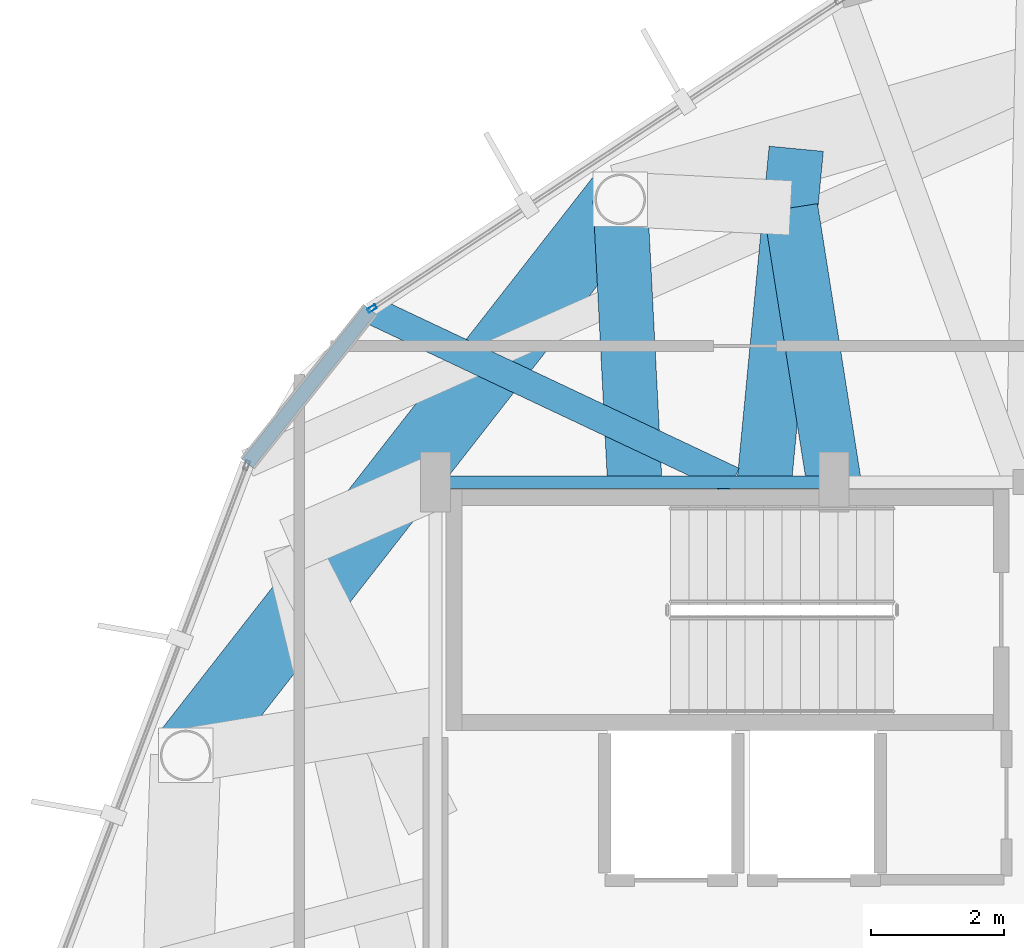
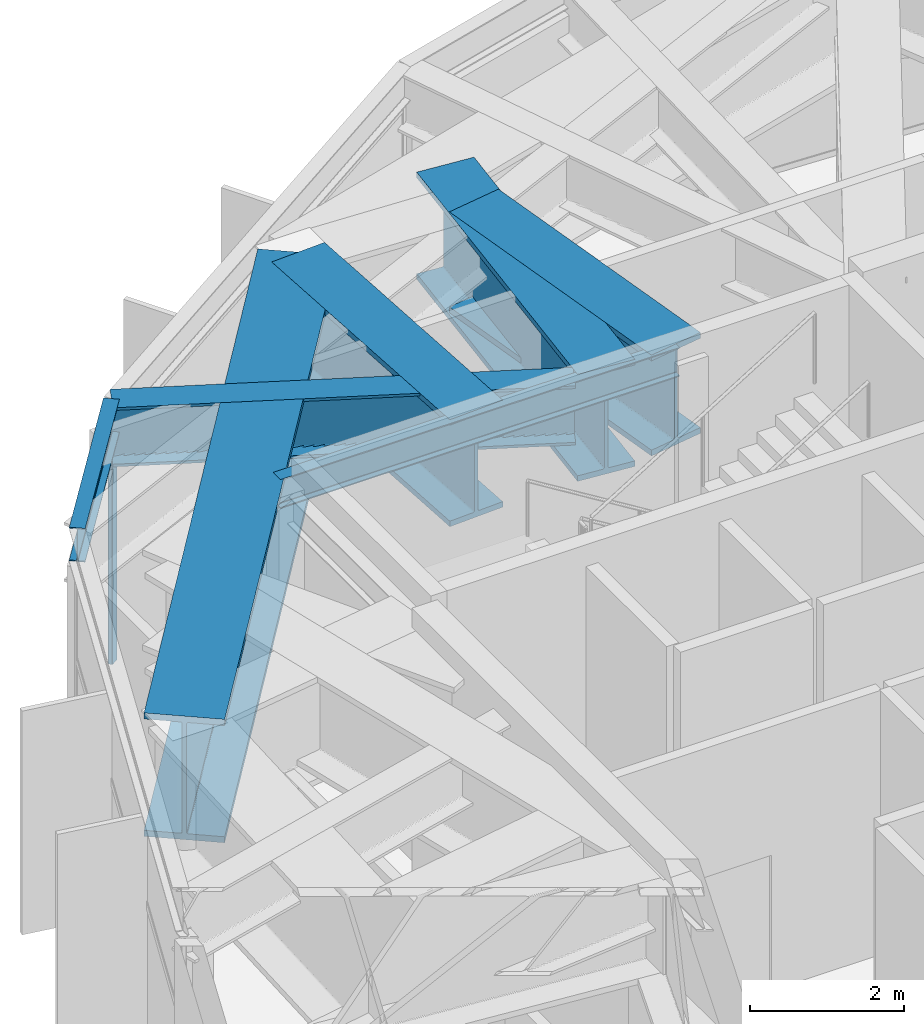
# One storey, part 12 of 27: 7 beams, 1 member, 1 element without a shape of its own.
"""IFC4 building model written with IfcOpenShell, lengths in metres."""

from ifc_helpers import new_model, si_unit, direction, frame, origin, origin_2d, place, context, subcontext, project, spatial, hollow_rectangle, i_section, extrude, material, layer, layer_set, material_profile, profile_set, type_object, element, aggregate, save


model = new_model("IFC4")

# Units and contexts
model_context = context("Model", 3, precision=1e-05, world=origin(), true_north=direction((0.0, 1.0)))
body_context = subcontext(model_context, "Body", "Model", "MODEL_VIEW")
ifc_project = project(units=[si_unit("LENGTHUNIT", "METRE"), si_unit("AREAUNIT", "SQUARE_METRE"), si_unit("VOLUMEUNIT", "CUBIC_METRE"), si_unit("PLANEANGLEUNIT", "RADIAN"), si_unit("MASSUNIT", "GRAM", prefix="KILO")], contexts=[model_context])

# Site, building, storey
site_placement = place(None, origin())
site = spatial("IfcSite", under=ifc_project, at=site_placement, CompositionType="ELEMENT")
building_placement = place(site_placement, origin())
building = spatial("IfcBuilding", under=site, at=building_placement, Name="Soratama Intermodal Tower", CompositionType="ELEMENT")
storey_placement = place(building_placement, frame((0.0, 0.0, 288.550048828125)))
storey = spatial("IfcBuildingStorey", under=building, at=storey_placement, Name="L73", CompositionType="ELEMENT", Elevation=288.550048828125)

# Beams
ifc_material_1 = material(Name="Structural steel ASTM A992 Grade 50", Category="steel")
ifc_material_profile_1 = material_profile(ifc_material_1, i_section(OverallWidth=0.19091796875, OverallDepth=0.4599609375, WebThickness=0.010009765625, FlangeThickness=0.01611328125, FilletRadius=0.010986328125, at=origin_2d()), Name="W18X55")
ifc_profile_set_1 = profile_set([ifc_material_profile_1], Name="Structural steel ASTM A992 Grade 50")
beam_type_1 = type_object("IfcBeamType", Name="BM-FLR-W18X55", PredefinedType="BEAM", material=ifc_profile_set_1)
beam_1_placement = place(storey_placement, frame((38.60009765625, 35.0, 3.96484375), z_axis=(-1.0, 0.0, 0.0), x_axis=(0.0, -1.0, 0.0)))
element("IfcBeam", 1, at=beam_1_placement, inside=storey, type_object=beam_type_1, Name="BM-L73-CRING-07", PredefinedType="BEAM", context=body_context, shape_type="SweptSolid", body=[
    extrude(i_section(OverallWidth=0.19091796875, OverallDepth=0.4599609375, WebThickness=0.010009765625, FlangeThickness=0.01611328125, FilletRadius=0.010986328125, at=origin_2d()), origin(), (0.0, 0.0, 1.0), 6.0),
])
ifc_material_2 = material(Name="Structural steel ASTM A992 Grade 50", Category="steel")
ifc_material_profile_2 = material_profile(ifc_material_2, i_section(OverallWidth=0.423095703125, OverallDepth=0.93896484375, WebThickness=0.02392578125, FlangeThickness=0.042724609375, FilletRadius=0.02392578125, at=origin_2d()), Name="W36X302")
ifc_profile_set_2 = profile_set([ifc_material_profile_2], Name="Structural steel ASTM A992 Grade 50")
beam_type_2 = type_object("IfcBeamType", Name="BM-POD-W36X302", PredefinedType="BEAM", material=ifc_profile_set_2)
beam_2_placement = place(storey_placement, frame((37.0830078125, 35.01708984375, 3.725341796875), z_axis=(-0.904306266006, 0.426884266825, 0.0), x_axis=(-0.426884266825, -0.904306266006, 0.0)))
element("IfcBeam", 2, at=beam_2_placement, inside=storey, type_object=beam_type_2, Name="BM-L73-TIE1-02", PredefinedType="BEAM", context=body_context, shape_type="SweptSolid", body=[
    extrude(i_section(OverallWidth=0.423095703125, OverallDepth=0.93896484375, WebThickness=0.02392578125, FlangeThickness=0.042724609375, FilletRadius=0.02392578125, at=origin_2d()), origin(), (0.0, 0.0, 1.0), 6.04345703125),
])
ifc_material_3 = material(Name="Structural steel ASTM A992 Grade 50", Category="steel")
ifc_material_profile_3 = material_profile(ifc_material_3, i_section(OverallWidth=0.2099609375, OverallDepth=0.537109375, WebThickness=0.010986328125, FlangeThickness=0.017333984375, FilletRadius=0.012939453125, at=origin_2d()), Name="W21X68")
ifc_profile_set_3 = profile_set([ifc_material_profile_3], Name="Structural steel ASTM A992 Grade 50")
beam_type_3 = type_object("IfcBeamType", Name="BM-SPN-W21X68", PredefinedType="SPANDREL", material=ifc_profile_set_3)
beam_3_placement = place(storey_placement, frame((31.617919921875, 37.596923828125, 3.926513671875), z_axis=(-0.624343648605, -0.78114979898, 0.0), x_axis=(0.78114979898, -0.624343648605, 0.0)))
element("IfcBeam", 3, at=beam_3_placement, inside=storey, type_object=beam_type_3, Name="BS-L73-CRN02", PredefinedType="SPANDREL", context=body_context, shape_type="SweptSolid", body=[
    extrude(i_section(OverallWidth=0.2099609375, OverallDepth=0.537109375, WebThickness=0.010986328125, FlangeThickness=0.017333984375, FilletRadius=0.012939453125, at=origin_2d()), origin(), (0.0, 0.0, 1.0), 2.966064453125),
])
ifc_material_4 = material(Name="Structural steel ASTM A992 Grade 50", Category="steel")
ifc_material_profile_4 = material_profile(ifc_material_4, i_section(OverallWidth=0.820068359375, OverallDepth=1.699951171875, WebThickness=0.053955078125, FlangeThickness=0.087890625, FilletRadius=0.02392578125, at=origin_2d()), Name="PG1580X800")
ifc_profile_set_4 = profile_set([ifc_material_profile_4], Name="Structural steel ASTM A992 Grade 50")
beam_type_4 = type_object("IfcBeamType", Name="BM-ZSTEP-PG1580", PredefinedType="BEAM", material=ifc_profile_set_4)
beam_4_placement = place(storey_placement, frame((38.032958984375, 40.02001953125, 3.344970703125), z_axis=(-0.095371088634, -0.995441789083, 0.0), x_axis=(0.995441789083, -0.095371088634, 0.0)))
element("IfcBeam", 4, at=beam_4_placement, inside=storey, type_object=beam_type_4, Name="BM-L73-ZCHORD-03", PredefinedType="BEAM", context=body_context, shape_type="SweptSolid", body=[
    extrude(i_section(OverallWidth=0.820068359375, OverallDepth=1.699951171875, WebThickness=0.053955078125, FlangeThickness=0.087890625, FilletRadius=0.02392578125, at=origin_2d()), origin(), (0.0, 0.0, 1.0), 5.04296875),
])
beam_5_placement = place(storey_placement, frame((35.60009765625, 35.0, 3.344970703125), z_axis=(-0.051122516685, 0.998692389221, 0.0), x_axis=(-0.998692389221, -0.051122516685, 0.0)))
element("IfcBeam", 5, at=beam_5_placement, inside=storey, type_object=beam_type_4, Name="BM-L73-RAD-04", PredefinedType="BEAM", context=body_context, shape_type="SweptSolid", body=[
    extrude(i_section(OverallWidth=0.820068359375, OverallDepth=1.699951171875, WebThickness=0.053955078125, FlangeThickness=0.087890625, FilletRadius=0.02392578125, at=origin_2d()), origin(), (0.0, 0.0, 1.0), 4.2646484375),
])
ifc_material_5 = material(Name="Structural steel ASTM A992 Grade 50", Category="steel")
ifc_material_profile_5 = material_profile(ifc_material_5, i_section(OverallWidth=0.820068359375, OverallDepth=1.60205078125, WebThickness=0.055908203125, FlangeThickness=0.092041015625, FilletRadius=0.02392578125, at=origin_2d()), Name="PG1600X650")
ifc_profile_set_5 = profile_set([ifc_material_profile_5], Name="Structural steel ASTM A992 Grade 50")
beam_type_5 = type_object("IfcBeamType", Name="BM-ZSTEP-PG1600", PredefinedType="BEAM", material=ifc_profile_set_5)
beam_6_placement = place(storey_placement, frame((37.947998046875, 39.1298828125, 3.39404296875), z_axis=(0.155965571991, -0.987762491874, 0.0), x_axis=(0.987762491874, 0.155965571991, 0.0)))
element("IfcBeam", 6, at=beam_6_placement, inside=storey, type_object=beam_type_5, Name="BM-L73-ZSTEP-B03", PredefinedType="BEAM", context=body_context, shape_type="SweptSolid", body=[
    extrude(i_section(OverallWidth=0.820068359375, OverallDepth=1.60205078125, WebThickness=0.055908203125, FlangeThickness=0.092041015625, FilletRadius=0.02392578125, at=origin_2d()), origin(), (0.0, 0.0, 1.0), 4.18115234375),
])
ifc_material_6 = material(Name="Structural steel ASTM A992 Grade 50", Category="steel")
ifc_material_profile_6 = material_profile(ifc_material_6, i_section(OverallWidth=1.06005859375, OverallDepth=1.9599609375, WebThickness=0.05810546875, FlangeThickness=0.095947265625, FilletRadius=0.02392578125, at=origin_2d()), Name="PG2400X900")
ifc_profile_set_6 = profile_set([ifc_material_profile_6], Name="Structural steel ASTM A992 Grade 50")
beam_type_6 = type_object("IfcBeamType", Name="BM-ZSTEP-PG2400", PredefinedType="BEAM", material=ifc_profile_set_6)
beam_7_placement = place(storey_placement, frame((35.382080078125, 39.259033203125, 3.21484375), z_axis=(-0.6157278291, -0.787958907858, 0.0), x_axis=(0.787958907858, -0.6157278291, 0.0)))
element("IfcBeam", 7, at=beam_7_placement, inside=storey, type_object=beam_type_6, Name="BM-L73-RING-04", PredefinedType="BEAM", context=body_context, shape_type="SweptSolid", body=[
    extrude(i_section(OverallWidth=1.06005859375, OverallDepth=1.9599609375, WebThickness=0.05810546875, FlangeThickness=0.095947265625, FilletRadius=0.02392578125, at=origin_2d()), origin(), (0.0, 0.0, 1.0), 10.6298828125),
])

# Curtain wall, member
ifc_material_7 = material(Name="Double-glazed aluminium curtain wall", Category="aluminium")
ifc_layer = layer(ifc_material_7, 0.159912109375)
ifc_layer_set = layer_set([ifc_layer], Name="Double-glazed aluminium curtain wall")
curtain_wall_type = type_object("IfcCurtainWallType", Name="CW-SYS-6", PredefinedType="NOTDEFINED", material=ifc_layer_set)
curtain_wall_placement = place(storey_placement, origin())
curtain_wall = element("IfcCurtainWall", 8, at=curtain_wall_placement, inside=storey, type_object=curtain_wall_type, Name="L73 Faceted Curtain Wall F02", PredefinedType="NOTDEFINED")
ifc_material_8 = material(Name="Anodised aluminium AA 6063-T6", Category="aluminium")
ifc_material_profile_7 = material_profile(ifc_material_8, hollow_rectangle(XDim=0.06494140625, YDim=0.139892578125, WallThickness=0.0048828125, InnerFilletRadius=0.0048828125, OuterFilletRadius=0.010009765625, at=origin_2d()), Name="CWM140X65X5")
ifc_profile_set_7 = profile_set([ifc_material_profile_7], Name="Anodised aluminium AA 6063-T6")
member_type = type_object("IfcMemberType", Name="MT-CWM-6", PredefinedType="MULLION", material=ifc_profile_set_7)
member_placement = place(storey_placement, frame((31.643310546875, 37.61328125, 0.0), z_axis=(0.0, 0.0, 1.0), x_axis=(0.549890891123, -0.835236498161, 0.0)))
member = element("IfcMember", 9, at=member_placement, type_object=member_type, Name="CW-6 mullion 2", PredefinedType="MULLION", context=body_context, shape_type="SweptSolid", body=[
    extrude(hollow_rectangle(XDim=0.06494140625, YDim=0.139892578125, WallThickness=0.0048828125, InnerFilletRadius=0.0048828125, OuterFilletRadius=0.010009765625, at=origin_2d()), origin(), (0.0, 0.0, 1.0), 3.573974609375),
])
aggregate(curtain_wall, [member])

save(model, "model.ifc")
